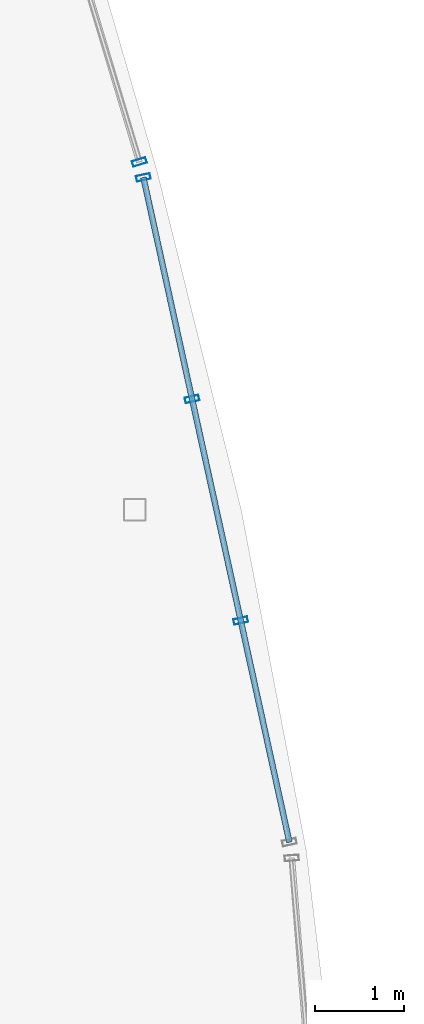
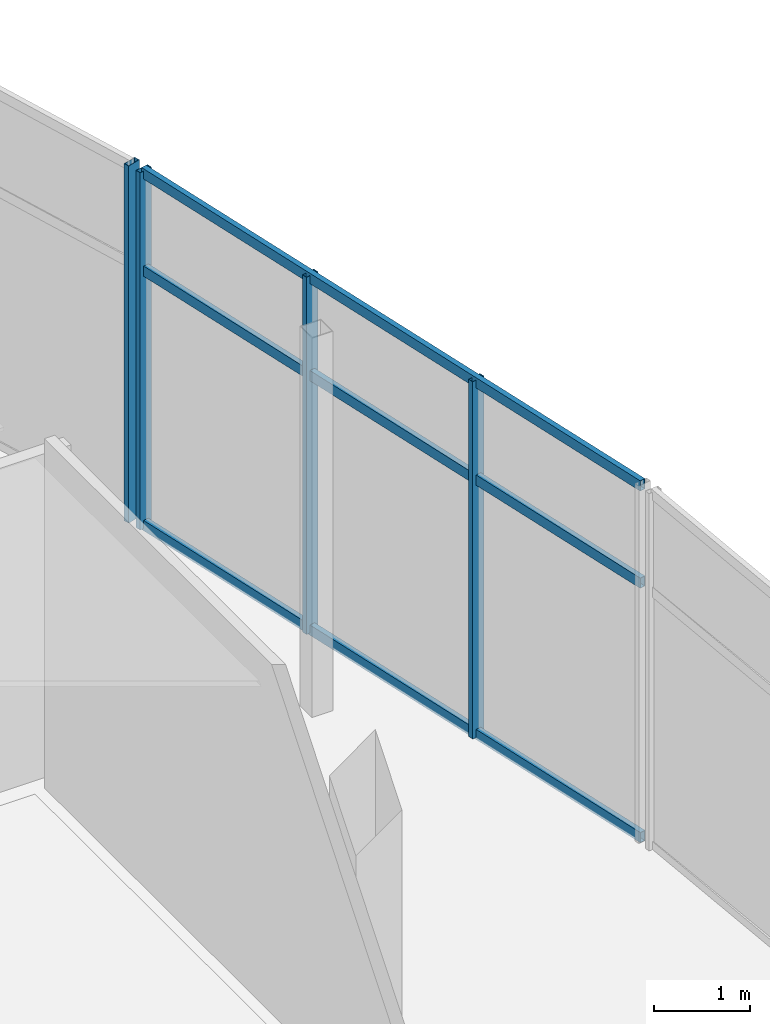
# One storey, part 101 of 157: 7 members, 2 elements without a shape of their own.
"""IFC4 building model written with IfcOpenShell, lengths in metres."""

from ifc_helpers import new_model, si_unit, direction, frame, origin, origin_2d, place, context, subcontext, project, spatial, hollow_rectangle, extrude, material, layer, layer_set, material_profile, profile_set, type_object, element, aggregate, save


model = new_model("IFC4")

# Units and contexts
model_context = context("Model", 3, precision=1e-05, world=origin(), true_north=direction((0.0, 1.0)))
body_context = subcontext(model_context, "Body", "Model", "MODEL_VIEW")
ifc_project = project(units=[si_unit("LENGTHUNIT", "METRE"), si_unit("AREAUNIT", "SQUARE_METRE"), si_unit("VOLUMEUNIT", "CUBIC_METRE"), si_unit("PLANEANGLEUNIT", "RADIAN"), si_unit("MASSUNIT", "GRAM", prefix="KILO")], contexts=[model_context])

# Site, building, storey
site_placement = place(None, origin())
site = spatial("IfcSite", under=ifc_project, at=site_placement, CompositionType="ELEMENT")
building_placement = place(site_placement, origin())
building = spatial("IfcBuilding", under=site, at=building_placement, Name="Chalmorin Arch Market", CompositionType="ELEMENT")
storey_placement = place(building_placement, frame((0.0, 0.0, 4.800048828125)))
storey = spatial("IfcBuildingStorey", under=building, at=storey_placement, Name="L01", CompositionType="ELEMENT", Elevation=4.800048828125)

# Curtain wall, members
ifc_material = material(Name="Aluminium 6063-T6", Category="aluminium")
ifc_layer_1 = layer(ifc_material, 0.159912109375)
ifc_layer_set_1 = layer_set([ifc_layer_1], Name="Aluminium 6063-T6")
curtain_wall_type_1 = type_object("IfcCurtainWallType", Name="CulinaryStudioCurtainWall-CW3-7670x4520", PredefinedType="NOTDEFINED", material=ifc_layer_set_1)
curtain_wall_1_placement = place(storey_placement, origin())
curtain_wall_1 = element("IfcCurtainWall", 1, at=curtain_wall_1_placement, inside=storey, type_object=curtain_wall_type_1, Name="CW-03-187", PredefinedType="NOTDEFINED")
ifc_material_profile_1 = material_profile(ifc_material, hollow_rectangle(XDim=0.06494140625, YDim=0.159912109375, WallThickness=0.00390625, at=origin_2d()), Name="ALU65X160X4")
ifc_profile_set_1 = profile_set([ifc_material_profile_1], Name="Aluminium 6063-T6")
member_type_1 = type_object("IfcMemberType", Name="CurtainWallMullion-65x160", PredefinedType="MULLION", material=ifc_profile_set_1)
member_1_placement = place(storey_placement, frame((119.09619140625, 105.251708984375, 0.0), z_axis=(0.0, 0.0, 1.0), x_axis=(-0.207911690818, 0.978147600734, 0.0)))
member_1 = element("IfcMember", 2, at=member_1_placement, type_object=member_type_1, Name="ML-187-02", PredefinedType="MULLION", context=body_context, shape_type="SweptSolid", body=[
    extrude(hollow_rectangle(XDim=0.06494140625, YDim=0.159912109375, WallThickness=0.00390625, at=origin_2d()), origin(), (0.0, 0.0, 1.0), 4.52001953125),
])
member_2_placement = place(storey_placement, frame((118.5478515625, 107.748291015625, 0.0), z_axis=(0.0, 0.0, 1.0), x_axis=(-0.207911690818, 0.978147600734, 0.0)))
member_2 = element("IfcMember", 3, at=member_2_placement, type_object=member_type_1, Name="ML-187-03", PredefinedType="MULLION", context=body_context, shape_type="SweptSolid", body=[
    extrude(hollow_rectangle(XDim=0.06494140625, YDim=0.159912109375, WallThickness=0.00390625, at=origin_2d()), origin(), (0.0, 0.0, 1.0), 4.52001953125),
])
member_3_placement = place(storey_placement, frame((117.999267578125, 110.2451171875, 0.0), z_axis=(0.0, 0.0, 1.0), x_axis=(-0.207911690818, 0.978147600734, 0.0)))
member_3 = element("IfcMember", 4, at=member_3_placement, type_object=member_type_1, Name="ML-187-04", PredefinedType="MULLION", context=body_context, shape_type="SweptSolid", body=[
    extrude(hollow_rectangle(XDim=0.06494140625, YDim=0.159912109375, WallThickness=0.00390625, at=origin_2d()), origin(), (0.0, 0.0, 1.0), 4.52001953125),
])

# Curtain wall, member
ifc_layer_2 = layer(ifc_material, 0.159912109375)
ifc_layer_set_2 = layer_set([ifc_layer_2], Name="Aluminium 6063-T6")
curtain_wall_type_2 = type_object("IfcCurtainWallType", Name="CulinaryStudioCurtainWall-CW3-7820x4520", PredefinedType="NOTDEFINED", material=ifc_layer_set_2)
curtain_wall_2_placement = place(storey_placement, origin())
curtain_wall_2 = element("IfcCurtainWall", 5, at=curtain_wall_2_placement, inside=storey, type_object=curtain_wall_type_2, Name="CW-03-189", PredefinedType="NOTDEFINED")
member_4_placement = place(storey_placement, frame((117.9541015625, 110.419189453125, 0.0), z_axis=(0.0, 0.0, 1.0), x_axis=(-0.292371704723, 0.956304755963, 0.0)))
member_4 = element("IfcMember", 6, at=member_4_placement, type_object=member_type_1, Name="ML-189-01", PredefinedType="MULLION", context=body_context, shape_type="SweptSolid", body=[
    extrude(hollow_rectangle(XDim=0.06494140625, YDim=0.159912109375, WallThickness=0.00390625, at=origin_2d()), origin(), (0.0, 0.0, 1.0), 4.52001953125),
])
aggregate(curtain_wall_2, [member_4])

# Member
ifc_material_profile_2 = material_profile(ifc_material, hollow_rectangle(XDim=0.06494140625, YDim=0.1298828125, WallThickness=0.00390625, at=origin_2d()), Name="ALU65X130X4")
ifc_profile_set_2 = profile_set([ifc_material_profile_2], Name="Aluminium 6063-T6")
member_type_2 = type_object("IfcMemberType", Name="CurtainWallTransom-65x130", PredefinedType="USERDEFINED", material=ifc_profile_set_2)
member_5_placement = place(storey_placement, frame((119.644775390625, 102.7548828125, 0.034912109375), z_axis=(-0.214570262836, 0.976708555459, 0.0), x_axis=(-0.976708555459, -0.214570262836, 0.0)))
member_5 = element("IfcMember", 7, at=member_5_placement, type_object=member_type_2, Name="TR-187-01", ObjectType="TRANSOM", PredefinedType="USERDEFINED", context=body_context, shape_type="SweptSolid", body=[
    extrude(hollow_rectangle(XDim=0.06494140625, YDim=0.1298828125, WallThickness=0.00390625, at=origin_2d()), origin(), (0.0, 0.0, 1.0), 7.6689453125),
])

member_6_placement = place(storey_placement, frame((119.644775390625, 102.7548828125, 3.25439453125), z_axis=(-0.214570262836, 0.976708555459, 0.0), x_axis=(-0.976708555459, -0.214570262836, 0.0)))
member_6 = element("IfcMember", 8, at=member_6_placement, type_object=member_type_2, Name="TR-187-02", ObjectType="TRANSOM", PredefinedType="USERDEFINED", context=body_context, shape_type="SweptSolid", body=[
    extrude(hollow_rectangle(XDim=0.06494140625, YDim=0.1298828125, WallThickness=0.00390625, at=origin_2d()), origin(), (0.0, 0.0, 1.0), 7.6689453125),
])

member_7_placement = place(storey_placement, frame((119.644775390625, 102.7548828125, 4.48486328125), z_axis=(-0.214570262836, 0.976708555459, 0.0), x_axis=(-0.976708555459, -0.214570262836, 0.0)))
member_7 = element("IfcMember", 9, at=member_7_placement, type_object=member_type_2, Name="TR-187-03", ObjectType="TRANSOM", PredefinedType="USERDEFINED", context=body_context, shape_type="SweptSolid", body=[
    extrude(hollow_rectangle(XDim=0.06494140625, YDim=0.1298828125, WallThickness=0.00390625, at=origin_2d()), origin(), (0.0, 0.0, 1.0), 7.6689453125),
])

aggregate(curtain_wall_1, [member_1, member_2, member_3, member_5, member_6, member_7])

save(model, "model.ifc")
